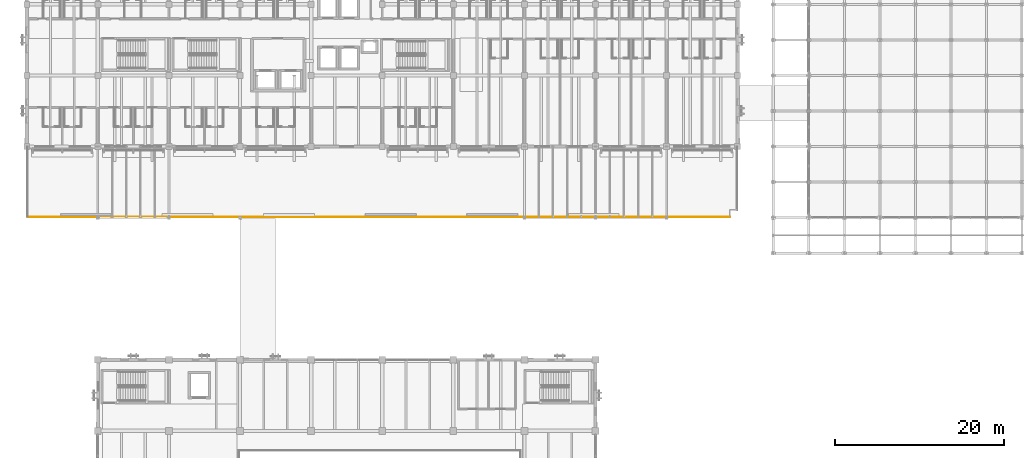
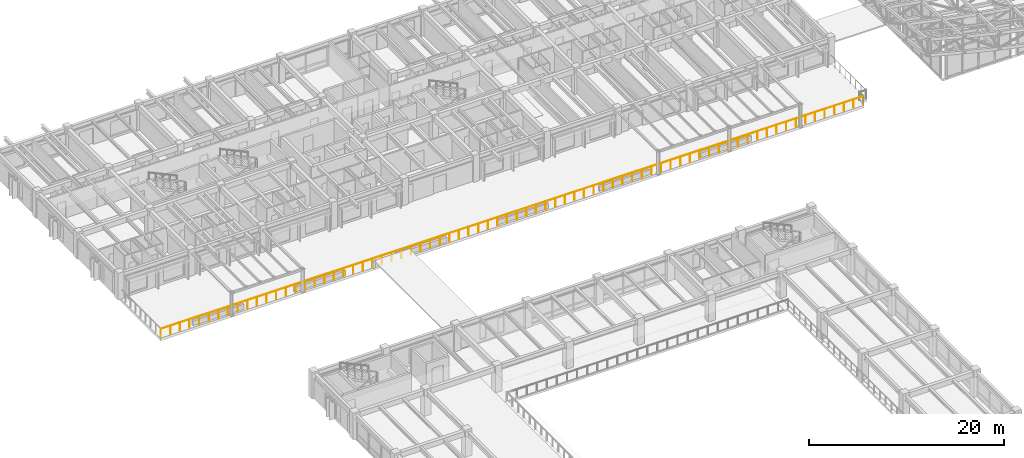
# One storey, part 107 of 111: 1 railing.
"""IFC4 building model written with IfcOpenShell, lengths in metres."""

from ifc_helpers import new_model, si_unit, direction, frame, origin, origin_2d, place, context, subcontext, project, spatial, circle, extrude, material, type_object, element, save


model = new_model("IFC4")

# Units and contexts
model_context = context("Model", 3, precision=1e-05, world=origin(), true_north=direction((0.0, 1.0)))
body_context = subcontext(model_context, "Body", "Model", "MODEL_VIEW")
ifc_project = project(units=[si_unit("LENGTHUNIT", "METRE"), si_unit("AREAUNIT", "SQUARE_METRE"), si_unit("VOLUMEUNIT", "CUBIC_METRE"), si_unit("PLANEANGLEUNIT", "RADIAN"), si_unit("MASSUNIT", "GRAM", prefix="KILO")], contexts=[model_context])

# Site, building, storey
site_placement = place(None, origin())
site = spatial("IfcSite", under=ifc_project, at=site_placement, CompositionType="ELEMENT")
building_placement = place(site_placement, origin())
building = spatial("IfcBuilding", under=site, at=building_placement, Name="Cumbredor Promenade Congress Hotel", CompositionType="ELEMENT")
storey_placement = place(building_placement, frame((0.0, 0.0, 15.1201171875)))
storey = spatial("IfcBuildingStorey", under=building, at=storey_placement, Name="L04", CompositionType="ELEMENT", Elevation=15.1201171875)

# Railing
ifc_material = material(Name="Brushed stainless steel", Category="steel")
railing_type = type_object("IfcRailingType", Name="Terrace Perimeter Balustrade BAL-1120", PredefinedType="BALUSTRADE", material=ifc_material)
railing_placement = place(storey_placement, frame((0.10009765625, 84.10009765625, 0.0)))
element("IfcRailing", 1, at=railing_placement, inside=storey, type_object=railing_type, Name="L04 Hotel Podium South Sky Garden Terrace Balustrade 61", PredefinedType="BALUSTRADE", context=body_context, shape_type="SweptSolid", body=[
    extrude(circle(Radius=0.02392578125, at=origin_2d()), frame((0.0, 0.0, 1.09619140625), z_axis=(1.0, 0.0, 0.0), x_axis=(0.0, 1.0, 0.0)), (0.0, 0.0, 1.0), 83.0),
    extrude(circle(Radius=0.02099609375, at=origin_2d()), origin(), (0.0, 0.0, 1.0), 1.072021484375),
    extrude(circle(Radius=0.02099609375, at=origin_2d()), frame((1.136962890625, 0.0, 0.0)), (0.0, 0.0, 1.0), 1.072021484375),
    extrude(circle(Radius=0.02099609375, at=origin_2d()), frame((2.27392578125, 0.0, 0.0)), (0.0, 0.0, 1.0), 1.072021484375),
    extrude(circle(Radius=0.02099609375, at=origin_2d()), frame((3.410888671875, 0.0, 0.0)), (0.0, 0.0, 1.0), 1.072021484375),
    extrude(circle(Radius=0.02099609375, at=origin_2d()), frame((4.5478515625, 0.0, 0.0)), (0.0, 0.0, 1.0), 1.072021484375),
    extrude(circle(Radius=0.02099609375, at=origin_2d()), frame((5.684814453125, 0.0, 0.0)), (0.0, 0.0, 1.0), 1.072021484375),
    extrude(circle(Radius=0.02099609375, at=origin_2d()), frame((6.822021484375, 0.0, 0.0)), (0.0, 0.0, 1.0), 1.072021484375),
    extrude(circle(Radius=0.02099609375, at=origin_2d()), frame((7.958984375, 0.0, 0.0)), (0.0, 0.0, 1.0), 1.072021484375),
    extrude(circle(Radius=0.02099609375, at=origin_2d()), frame((9.095947265625, 0.0, 0.0)), (0.0, 0.0, 1.0), 1.072021484375),
    extrude(circle(Radius=0.02099609375, at=origin_2d()), frame((10.23291015625, 0.0, 0.0)), (0.0, 0.0, 1.0), 1.072021484375),
    extrude(circle(Radius=0.02099609375, at=origin_2d()), frame((11.369873046875, 0.0, 0.0)), (0.0, 0.0, 1.0), 1.072021484375),
    extrude(circle(Radius=0.02099609375, at=origin_2d()), frame((12.5068359375, 0.0, 0.0)), (0.0, 0.0, 1.0), 1.072021484375),
    extrude(circle(Radius=0.02099609375, at=origin_2d()), frame((13.643798828125, 0.0, 0.0)), (0.0, 0.0, 1.0), 1.072021484375),
    extrude(circle(Radius=0.02099609375, at=origin_2d()), frame((14.78076171875, 0.0, 0.0)), (0.0, 0.0, 1.0), 1.072021484375),
    extrude(circle(Radius=0.02099609375, at=origin_2d()), frame((15.917724609375, 0.0, 0.0)), (0.0, 0.0, 1.0), 1.072021484375),
    extrude(circle(Radius=0.02099609375, at=origin_2d()), frame((17.0546875, 0.0, 0.0)), (0.0, 0.0, 1.0), 1.072021484375),
    extrude(circle(Radius=0.02099609375, at=origin_2d()), frame((18.19189453125, 0.0, 0.0)), (0.0, 0.0, 1.0), 1.072021484375),
    extrude(circle(Radius=0.02099609375, at=origin_2d()), frame((19.328857421875, 0.0, 0.0)), (0.0, 0.0, 1.0), 1.072021484375),
    extrude(circle(Radius=0.02099609375, at=origin_2d()), frame((20.4658203125, 0.0, 0.0)), (0.0, 0.0, 1.0), 1.072021484375),
    extrude(circle(Radius=0.02099609375, at=origin_2d()), frame((21.602783203125, 0.0, 0.0)), (0.0, 0.0, 1.0), 1.072021484375),
    extrude(circle(Radius=0.02099609375, at=origin_2d()), frame((22.73974609375, 0.0, 0.0)), (0.0, 0.0, 1.0), 1.072021484375),
    extrude(circle(Radius=0.02099609375, at=origin_2d()), frame((23.876708984375, 0.0, 0.0)), (0.0, 0.0, 1.0), 1.072021484375),
    extrude(circle(Radius=0.02099609375, at=origin_2d()), frame((25.013671875, 0.0, 0.0)), (0.0, 0.0, 1.0), 1.072021484375),
    extrude(circle(Radius=0.02099609375, at=origin_2d()), frame((26.150634765625, 0.0, 0.0)), (0.0, 0.0, 1.0), 1.072021484375),
    extrude(circle(Radius=0.02099609375, at=origin_2d()), frame((27.28759765625, 0.0, 0.0)), (0.0, 0.0, 1.0), 1.072021484375),
    extrude(circle(Radius=0.02099609375, at=origin_2d()), frame((28.424560546875, 0.0, 0.0)), (0.0, 0.0, 1.0), 1.072021484375),
    extrude(circle(Radius=0.02099609375, at=origin_2d()), frame((29.5615234375, 0.0, 0.0)), (0.0, 0.0, 1.0), 1.072021484375),
    extrude(circle(Radius=0.02099609375, at=origin_2d()), frame((30.69873046875, 0.0, 0.0)), (0.0, 0.0, 1.0), 1.072021484375),
    extrude(circle(Radius=0.02099609375, at=origin_2d()), frame((31.835693359375, 0.0, 0.0)), (0.0, 0.0, 1.0), 1.072021484375),
    extrude(circle(Radius=0.02099609375, at=origin_2d()), frame((32.97265625, 0.0, 0.0)), (0.0, 0.0, 1.0), 1.072021484375),
    extrude(circle(Radius=0.02099609375, at=origin_2d()), frame((34.109619140625, 0.0, 0.0)), (0.0, 0.0, 1.0), 1.072021484375),
    extrude(circle(Radius=0.02099609375, at=origin_2d()), frame((35.24658203125, 0.0, 0.0)), (0.0, 0.0, 1.0), 1.072021484375),
    extrude(circle(Radius=0.02099609375, at=origin_2d()), frame((36.383544921875, 0.0, 0.0)), (0.0, 0.0, 1.0), 1.072021484375),
    extrude(circle(Radius=0.02099609375, at=origin_2d()), frame((37.5205078125, 0.0, 0.0)), (0.0, 0.0, 1.0), 1.072021484375),
    extrude(circle(Radius=0.02099609375, at=origin_2d()), frame((38.657470703125, 0.0, 0.0)), (0.0, 0.0, 1.0), 1.072021484375),
    extrude(circle(Radius=0.02099609375, at=origin_2d()), frame((39.79443359375, 0.0, 0.0)), (0.0, 0.0, 1.0), 1.072021484375),
    extrude(circle(Radius=0.02099609375, at=origin_2d()), frame((40.931396484375, 0.0, 0.0)), (0.0, 0.0, 1.0), 1.072021484375),
    extrude(circle(Radius=0.02099609375, at=origin_2d()), frame((42.068603515625, 0.0, 0.0)), (0.0, 0.0, 1.0), 1.072021484375),
    extrude(circle(Radius=0.02099609375, at=origin_2d()), frame((43.20556640625, 0.0, 0.0)), (0.0, 0.0, 1.0), 1.072021484375),
    extrude(circle(Radius=0.02099609375, at=origin_2d()), frame((44.342529296875, 0.0, 0.0)), (0.0, 0.0, 1.0), 1.072021484375),
    extrude(circle(Radius=0.02099609375, at=origin_2d()), frame((45.4794921875, 0.0, 0.0)), (0.0, 0.0, 1.0), 1.072021484375),
    extrude(circle(Radius=0.02099609375, at=origin_2d()), frame((46.616455078125, 0.0, 0.0)), (0.0, 0.0, 1.0), 1.072021484375),
    extrude(circle(Radius=0.02099609375, at=origin_2d()), frame((47.75341796875, 0.0, 0.0)), (0.0, 0.0, 1.0), 1.072021484375),
    extrude(circle(Radius=0.02099609375, at=origin_2d()), frame((48.890380859375, 0.0, 0.0)), (0.0, 0.0, 1.0), 1.072021484375),
    extrude(circle(Radius=0.02099609375, at=origin_2d()), frame((50.02734375, 0.0, 0.0)), (0.0, 0.0, 1.0), 1.072021484375),
    extrude(circle(Radius=0.02099609375, at=origin_2d()), frame((51.164306640625, 0.0, 0.0)), (0.0, 0.0, 1.0), 1.072021484375),
    extrude(circle(Radius=0.02099609375, at=origin_2d()), frame((52.30126953125, 0.0, 0.0)), (0.0, 0.0, 1.0), 1.072021484375),
    extrude(circle(Radius=0.02099609375, at=origin_2d()), frame((53.4384765625, 0.0, 0.0)), (0.0, 0.0, 1.0), 1.072021484375),
    extrude(circle(Radius=0.02099609375, at=origin_2d()), frame((54.575439453125, 0.0, 0.0)), (0.0, 0.0, 1.0), 1.072021484375),
    extrude(circle(Radius=0.02099609375, at=origin_2d()), frame((55.71240234375, 0.0, 0.0)), (0.0, 0.0, 1.0), 1.072021484375),
    extrude(circle(Radius=0.02099609375, at=origin_2d()), frame((56.849365234375, 0.0, 0.0)), (0.0, 0.0, 1.0), 1.072021484375),
    extrude(circle(Radius=0.02099609375, at=origin_2d()), frame((57.986328125, 0.0, 0.0)), (0.0, 0.0, 1.0), 1.072021484375),
    extrude(circle(Radius=0.02099609375, at=origin_2d()), frame((59.123291015625, 0.0, 0.0)), (0.0, 0.0, 1.0), 1.072021484375),
    extrude(circle(Radius=0.02099609375, at=origin_2d()), frame((60.26025390625, 0.0, 0.0)), (0.0, 0.0, 1.0), 1.072021484375),
    extrude(circle(Radius=0.02099609375, at=origin_2d()), frame((61.397216796875, 0.0, 0.0)), (0.0, 0.0, 1.0), 1.072021484375),
    extrude(circle(Radius=0.02099609375, at=origin_2d()), frame((62.5341796875, 0.0, 0.0)), (0.0, 0.0, 1.0), 1.072021484375),
    extrude(circle(Radius=0.02099609375, at=origin_2d()), frame((63.671142578125, 0.0, 0.0)), (0.0, 0.0, 1.0), 1.072021484375),
    extrude(circle(Radius=0.02099609375, at=origin_2d()), frame((64.80810546875, 0.0, 0.0)), (0.0, 0.0, 1.0), 1.072021484375),
    extrude(circle(Radius=0.02099609375, at=origin_2d()), frame((65.9453125, 0.0, 0.0)), (0.0, 0.0, 1.0), 1.072021484375),
    extrude(circle(Radius=0.02099609375, at=origin_2d()), frame((67.082275390625, 0.0, 0.0)), (0.0, 0.0, 1.0), 1.072021484375),
    extrude(circle(Radius=0.02099609375, at=origin_2d()), frame((68.21923828125, 0.0, 0.0)), (0.0, 0.0, 1.0), 1.072021484375),
    extrude(circle(Radius=0.02099609375, at=origin_2d()), frame((69.356201171875, 0.0, 0.0)), (0.0, 0.0, 1.0), 1.072021484375),
    extrude(circle(Radius=0.02099609375, at=origin_2d()), frame((70.4931640625, 0.0, 0.0)), (0.0, 0.0, 1.0), 1.072021484375),
    extrude(circle(Radius=0.02099609375, at=origin_2d()), frame((71.630126953125, 0.0, 0.0)), (0.0, 0.0, 1.0), 1.072021484375),
    extrude(circle(Radius=0.02099609375, at=origin_2d()), frame((72.76708984375, 0.0, 0.0)), (0.0, 0.0, 1.0), 1.072021484375),
    extrude(circle(Radius=0.02099609375, at=origin_2d()), frame((73.904052734375, 0.0, 0.0)), (0.0, 0.0, 1.0), 1.072021484375),
    extrude(circle(Radius=0.02099609375, at=origin_2d()), frame((75.041015625, 0.0, 0.0)), (0.0, 0.0, 1.0), 1.072021484375),
    extrude(circle(Radius=0.02099609375, at=origin_2d()), frame((76.177978515625, 0.0, 0.0)), (0.0, 0.0, 1.0), 1.072021484375),
    extrude(circle(Radius=0.02099609375, at=origin_2d()), frame((77.315185546875, 0.0, 0.0)), (0.0, 0.0, 1.0), 1.072021484375),
    extrude(circle(Radius=0.02099609375, at=origin_2d()), frame((78.4521484375, 0.0, 0.0)), (0.0, 0.0, 1.0), 1.072021484375),
    extrude(circle(Radius=0.02099609375, at=origin_2d()), frame((79.589111328125, 0.0, 0.0)), (0.0, 0.0, 1.0), 1.072021484375),
    extrude(circle(Radius=0.02099609375, at=origin_2d()), frame((80.72607421875, 0.0, 0.0)), (0.0, 0.0, 1.0), 1.072021484375),
    extrude(circle(Radius=0.02099609375, at=origin_2d()), frame((81.863037109375, 0.0, 0.0)), (0.0, 0.0, 1.0), 1.072021484375),
    extrude(circle(Radius=0.02099609375, at=origin_2d()), frame((83.0, 0.0, 0.0)), (0.0, 0.0, 1.0), 1.072021484375),
])

save(model, "model.ifc")
